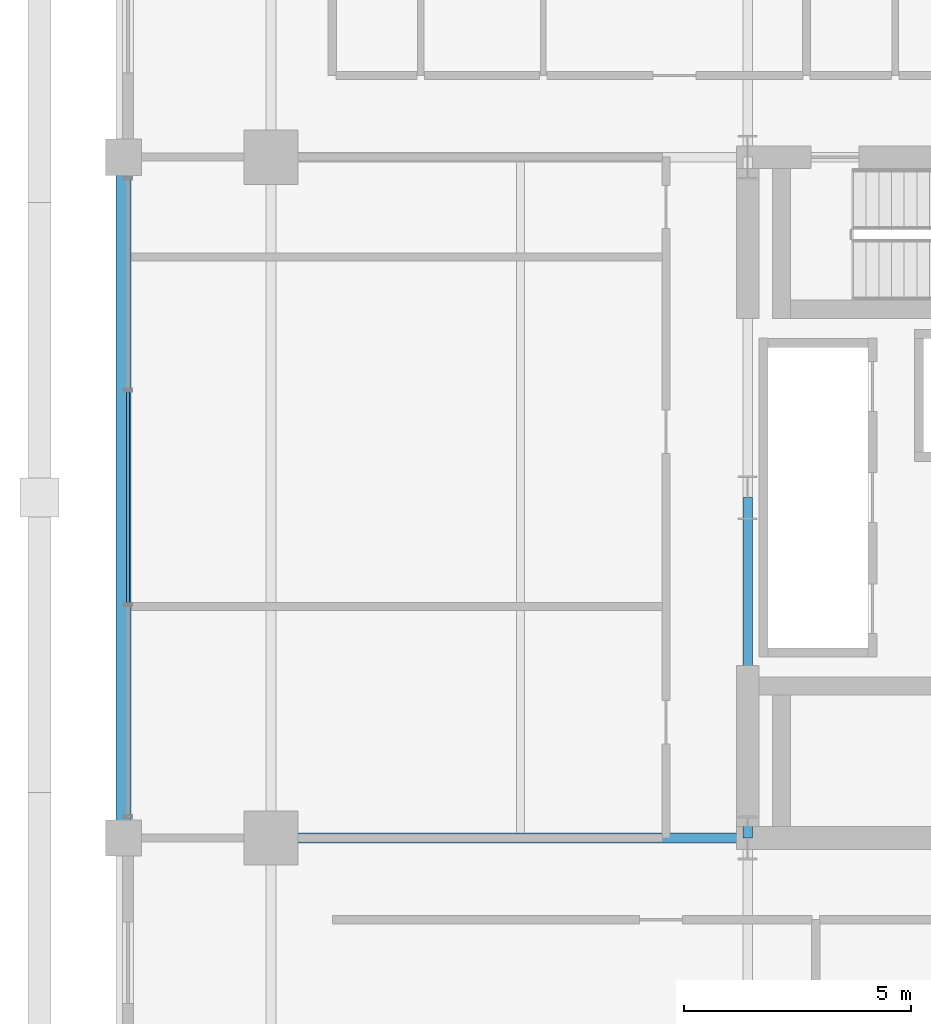
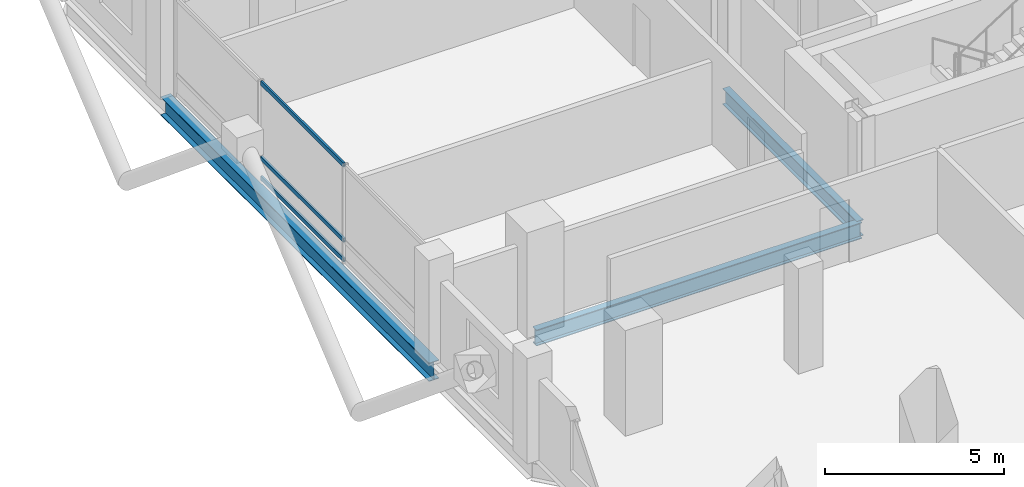
# One storey, part 5 of 22: 3 beams, 3 members, 1 element without a shape of its own.
"""IFC4 building model written with IfcOpenShell, lengths in metres."""

import ifcopenshell
import ifcopenshell.guid

model = None  # the IFC model being written
_history = None  # IfcOwnerHistory: only IFC2X3 demands one
_inside = {}  # id of a spatial element -> (the spatial element, [elements in it])
_under = {}  # id of a project, library or spatial element -> (it, [spatial elements below it])
_declared = {}  # id of a project -> (the project, [libraries it declares])
_typed = {}  # id of a type object -> (the type object, [elements of that type])
_made_of = {}  # id of a material, layer set ... -> (it, [elements and type objects made of it])


def new_model(schema):
    """Start an empty IFC model of exactly this schema.

    Asked for "IFC4X3", IfcOpenShell would pick the latest addendum, in which some entities
    have other attributes; the version numbers below select the first issue.
    IFC2X3 requires an IfcOwnerHistory on every rooted entity: one is made here for all.
    """
    global model, _history
    if schema == "IFC4X3":
        model = ifcopenshell.file(schema_version=(4, 3, 0, 0))
    else:
        model = ifcopenshell.file(schema=schema)
    _inside.clear()
    _under.clear()
    _declared.clear()
    _typed.clear()
    _made_of.clear()
    _history = None
    if model.schema == "IFC2X3":
        org = make("IfcOrganization", Name="unknown")
        user = make(
            "IfcPersonAndOrganization",
            ThePerson=make("IfcPerson", FamilyName="unknown"),
            TheOrganization=org,
        )
        app = make(
            "IfcApplication",
            ApplicationDeveloper=org,
            Version="unknown",
            ApplicationFullName="unknown",
            ApplicationIdentifier="unknown",
        )
        _history = make(
            "IfcOwnerHistory",
            OwningUser=user,
            OwningApplication=app,
            ChangeAction="ADDED",
            CreationDate=0,
        )
    return model


def make(cls, **values):
    """One entity of the class cls with the attributes given. An attribute that is None is left unset."""
    return model.create_entity(
        cls, **{name: value for name, value in values.items() if value is not None}
    )


def rooted(cls, **values):
    """An entity with a GlobalId (a new one), such as an element, a storey or a relation."""
    return make(cls, GlobalId=ifcopenshell.guid.new(), OwnerHistory=_history, **values)


def si_unit(unit_type, name, prefix=None):
    """IfcSIUnit, for example si_unit("LENGTHUNIT", "METRE", prefix="MILLI")."""
    return make("IfcSIUnit", UnitType=unit_type, Prefix=prefix, Name=name)


def assignment(units):
    """IfcUnitAssignment: the units of a project."""
    return None if units is None else make("IfcUnitAssignment", Units=units)


def point(xyz):
    """IfcCartesianPoint."""
    return None if xyz is None else make("IfcCartesianPoint", Coordinates=xyz)


def direction(xyz):
    """IfcDirection."""
    return None if xyz is None else make("IfcDirection", DirectionRatios=xyz)


def frame(location, z_axis=None, x_axis=None):
    """IfcAxis2Placement3D, a coordinate frame: its origin and axes. An axis left out is left unset."""
    return make(
        "IfcAxis2Placement3D",
        Location=point(location),
        Axis=direction(z_axis),
        RefDirection=direction(x_axis),
    )


def frame_2d(location, x_axis=None):
    """IfcAxis2Placement2D, a coordinate frame in the plane: its origin and x axis."""
    return make(
        "IfcAxis2Placement2D", Location=point(location), RefDirection=direction(x_axis)
    )


def origin():
    """The frame at (0, 0, 0) with its axes left unset."""
    return frame((0.0, 0.0, 0.0))


def origin_2d():
    """The frame at (0, 0) in the plane with its x axis left unset."""
    return frame_2d((0.0, 0.0))


def place(relative_to, where):
    """IfcLocalPlacement: puts the frame where relative to a parent placement (None: the world)."""
    return make(
        "IfcLocalPlacement", PlacementRelTo=relative_to, RelativePlacement=where
    )


def context(
    kind, dimensions, precision=None, world=None, true_north=None, identifier=None
):
    """IfcGeometricRepresentationContext, for example the 3D "Model" context."""
    return make(
        "IfcGeometricRepresentationContext",
        ContextIdentifier=identifier,
        ContextType=kind,
        CoordinateSpaceDimension=dimensions,
        Precision=precision,
        WorldCoordinateSystem=world,
        TrueNorth=true_north,
    )


def subcontext(parent, identifier, kind, view, scale=None):
    """IfcGeometricRepresentationSubContext, for example "Body" below "Model"."""
    return make(
        "IfcGeometricRepresentationSubContext",
        ContextIdentifier=identifier,
        ContextType=kind,
        ParentContext=parent,
        TargetScale=scale,
        TargetView=view,
    )


def project(units=None, contexts=None):
    """IfcProject with its units and contexts."""
    return rooted(
        "IfcProject",
        Name="project",
        RepresentationContexts=contexts,
        UnitsInContext=assignment(units),
    )


def spatial(cls, under=None, at=None, **own):
    """A site, building, storey or space (cls), placed at a placement, below another one or the project."""
    s = rooted(cls, ObjectPlacement=at, **own)
    if under is not None:
        _under.setdefault(under.id(), (under, []))[1].append(s)
    return s


def profile(cls, at=None, kind="AREA", **sizes):
    """A parametric profile (cls). Its sizes go by their IFC names, for example OverallWidth=200.0."""
    return make(cls, ProfileType=kind, Position=at, **sizes)


def hollow_rectangle(**sizes):
    """IfcRectangleHollowProfileDef."""
    return profile("IfcRectangleHollowProfileDef", **sizes)


def i_section(**sizes):
    """IfcIShapeProfileDef."""
    return profile("IfcIShapeProfileDef", **sizes)


def extrude(swept, where, along, depth):
    """IfcExtrudedAreaSolid: the profile swept, set in the frame where, extruded along a direction by depth."""
    return make(
        "IfcExtrudedAreaSolid",
        SweptArea=swept,
        Position=where,
        ExtrudedDirection=direction(along),
        Depth=depth,
    )


def shape(context_of_items, identifier, shape_type, items):
    """IfcShapeRepresentation: the items that make up one representation, for example the "Body"."""
    return make(
        "IfcShapeRepresentation",
        ContextOfItems=context_of_items,
        RepresentationIdentifier=identifier,
        RepresentationType=shape_type,
        Items=items,
    )


def material(Name=None, Category=None):
    """IfcMaterial."""
    return make("IfcMaterial", Name=Name, Category=Category)


def layer(
    of_material, thickness, ventilated=None, Name=None, Category=None, Priority=None
):
    """IfcMaterialLayer: one layer of a wall or slab, of a material (None: an air gap)."""
    return make(
        "IfcMaterialLayer",
        Material=of_material,
        LayerThickness=thickness,
        IsVentilated=ventilated,
        Name=Name,
        Category=Category,
        Priority=Priority,
    )


def layer_set(layers, Name=None):
    """IfcMaterialLayerSet."""
    return make("IfcMaterialLayerSet", MaterialLayers=layers, LayerSetName=Name)


def material_profile(
    of_material, cross_section, Name=None, Category=None, Priority=None
):
    """IfcMaterialProfile: a cross section and its material."""
    return make(
        "IfcMaterialProfile",
        Name=Name,
        Material=of_material,
        Profile=cross_section,
        Priority=Priority,
        Category=Category,
    )


def profile_set(profiles, Name=None, composite=None):
    """IfcMaterialProfileSet."""
    return make(
        "IfcMaterialProfileSet",
        Name=Name,
        MaterialProfiles=profiles,
        CompositeProfile=composite,
    )


def made_of(thing, what):
    """Note that an element or type object is made of a material, layer set ...; save() writes the relation."""
    if what is not None:
        _made_of.setdefault(what.id(), (what, []))[1].append(thing)
    return thing


def type_object(cls, material=None, **own):
    """A type object (cls), such as IfcWallType, which elements share."""
    return made_of(rooted(cls, **own), material)


def element(
    cls,
    number,
    at=None,
    inside=None,
    cuts=None,
    type_object=None,
    material=None,
    context=None,
    identifier="Body",
    shape_type=None,
    held_by="IfcProductDefinitionShape",
    body=None,
    shapes=None,
    **own,
):
    """One element of the class cls, such as IfcWall. Its Tag is "e" and its number.

    at: its placement. inside: the storey or other place that contains it. cuts: it is an
    opening in that element (IfcRelVoidsElement). A single representation is given by context,
    identifier, shape_type and body (its items); several are given by shapes. held_by: the class
    of the entity that holds the representations. save() writes the other relations.
    """
    e = rooted(cls, Tag="e%d" % number, ObjectPlacement=at, **own)
    if body is not None:
        shapes = [shape(context, identifier, shape_type, body)]
    if shapes is not None:
        e.Representation = make(held_by, Representations=shapes)
    if inside is not None:
        _inside.setdefault(inside.id(), (inside, []))[1].append(e)
    if cuts is not None:
        rooted(
            "IfcRelVoidsElement", RelatingBuildingElement=cuts, RelatedOpeningElement=e
        )
    if type_object is not None:
        _typed.setdefault(type_object.id(), (type_object, []))[1].append(e)
    return made_of(e, material)


def aggregate(whole, parts):
    """IfcRelAggregates: a whole, such as a stair, and the parts it consists of."""
    return rooted("IfcRelAggregates", RelatingObject=whole, RelatedObjects=parts)


def save(model, path):
    """Write the relations noted so far, then the file.

    IfcRelAggregates (storeys below a building ...), IfcRelContainedInSpatialStructure (elements
    in a storey), IfcRelDefinesByType, IfcRelAssociatesMaterial and IfcRelDeclares: one each for
    every whole, place, type object, material and project.
    """
    for whole, parts in _under.values():
        aggregate(whole, parts)
    for where, things in _inside.values():
        rooted(
            "IfcRelContainedInSpatialStructure",
            RelatedElements=things,
            RelatingStructure=where,
        )
    for kind, things in _typed.values():
        rooted("IfcRelDefinesByType", RelatedObjects=things, RelatingType=kind)
    for what, things in _made_of.values():
        rooted("IfcRelAssociatesMaterial", RelatedObjects=things, RelatingMaterial=what)
    for by, libraries in _declared.values():
        rooted("IfcRelDeclares", RelatingContext=by, RelatedDefinitions=libraries)
    model.write(path)


model = new_model("IFC4")

# Units and contexts
model_context = context("Model", 3, precision=1e-05, world=origin(), true_north=direction((0.0, 1.0)))
body_context = subcontext(model_context, "Body", "Model", "MODEL_VIEW")
ifc_project = project(units=[si_unit("LENGTHUNIT", "METRE"), si_unit("AREAUNIT", "SQUARE_METRE"), si_unit("VOLUMEUNIT", "CUBIC_METRE"), si_unit("PLANEANGLEUNIT", "RADIAN"), si_unit("MASSUNIT", "GRAM", prefix="KILO")], contexts=[model_context])

# Site, building, storey
site_placement = place(None, origin())
site = spatial("IfcSite", under=ifc_project, at=site_placement, CompositionType="ELEMENT")
building_placement = place(site_placement, origin())
building = spatial("IfcBuilding", under=site, at=building_placement, Name="Barlavira Tower and Art Museum", CompositionType="ELEMENT")
storey_placement = place(building_placement, frame((0.0, 0.0, 106.199951171875)))
storey = spatial("IfcBuildingStorey", under=building, at=storey_placement, Name="L26", CompositionType="ELEMENT", Elevation=106.199951171875)

# Curtain wall, members
ifc_material_1 = material(Name="Low-iron coastal laminated glass", Category="glass")
ifc_layer = layer(ifc_material_1, 0.18994140625, Name="Low-iron coastal laminated glass")
ifc_layer_set = layer_set([ifc_layer], Name="Low-iron coastal laminated glass")
curtain_wall_type = type_object("IfcCurtainWallType", Name="Pale-Metal Unitised Curtain Wall Zone 2", PredefinedType="NOTDEFINED", material=ifc_layer_set)
curtain_wall_placement = place(storey_placement, origin())
curtain_wall = element("IfcCurtainWall", 1, at=curtain_wall_placement, inside=storey, type_object=curtain_wall_type, Name="L26 Curtain Wall CW2-L26-W-B3", PredefinedType="NOTDEFINED")
ifc_material_2 = material(Name="Pale anodised aluminium", Category="aluminium")
ifc_material_profile_1 = material_profile(ifc_material_2, hollow_rectangle(XDim=0.06494140625, YDim=0.139892578125, WallThickness=0.00390625, at=origin_2d()), Name="ALU-TRAN 65x140x4")
ifc_profile_set_1 = profile_set([ifc_material_profile_1], Name="Pale anodised aluminium")
member_type = type_object("IfcMemberType", Name="Curtain Wall Pale-Metal Transom 65x140", PredefinedType="USERDEFINED", material=ifc_profile_set_1)
member_1_placement = place(storey_placement, frame((-20.14990234375, 2.31494140625, 0.070068359375), z_axis=(0.0, -1.0, 0.0), x_axis=(1.0, 0.0, 0.0)))
member_1 = element("IfcMember", 2, at=member_1_placement, type_object=member_type, Name="CW2-L26-W-B3 Transom 1.1", ObjectType="TRANSOM", PredefinedType="USERDEFINED", context=body_context, shape_type="SweptSolid", body=[
    extrude(hollow_rectangle(XDim=0.06494140625, YDim=0.139892578125, WallThickness=0.00390625, at=origin_2d()), origin(), (0.0, 0.0, 1.0), 4.6298828125),
])
member_2_placement = place(storey_placement, frame((-20.14990234375, 2.31494140625, 0.744140625), z_axis=(0.0, -1.0, 0.0), x_axis=(1.0, 0.0, 0.0)))
member_2 = element("IfcMember", 3, at=member_2_placement, type_object=member_type, Name="CW2-L26-W-B3 Transom 1.2", ObjectType="TRANSOM", PredefinedType="USERDEFINED", context=body_context, shape_type="SweptSolid", body=[
    extrude(hollow_rectangle(XDim=0.06494140625, YDim=0.139892578125, WallThickness=0.00390625, at=origin_2d()), origin(), (0.0, 0.0, 1.0), 4.6298828125),
])
member_3_placement = place(storey_placement, frame((-20.14990234375, 2.31494140625, 3.31005859375), z_axis=(0.0, -1.0, 0.0), x_axis=(1.0, 0.0, 0.0)))
member_3 = element("IfcMember", 4, at=member_3_placement, type_object=member_type, Name="CW2-L26-W-B3 Transom 1.3", ObjectType="TRANSOM", PredefinedType="USERDEFINED", context=body_context, shape_type="SweptSolid", body=[
    extrude(hollow_rectangle(XDim=0.06494140625, YDim=0.139892578125, WallThickness=0.00390625, at=origin_2d()), origin(), (0.0, 0.0, 1.0), 4.6298828125),
])
aggregate(curtain_wall, [member_1, member_2, member_3])

# Beams
ifc_material_3 = material(Name="Steel S355", Category="steel")
ifc_material_profile_2 = material_profile(ifc_material_3, i_section(OverallWidth=0.327880859375, OverallDepth=0.62890625, WebThickness=0.013916015625, FlangeThickness=0.021484375, at=origin_2d()), Name="W610x174.0")
ifc_profile_set_2 = profile_set([ifc_material_profile_2], Name="Steel S355")
beam_type_1 = type_object("IfcBeamType", Name="Perimeter Spandrel Edge Beam W610x174 Steel S355", PredefinedType="SPANDREL", material=ifc_profile_set_2)
beam_1_placement = place(storey_placement, frame((-20.25, -7.5, -0.534423828125), z_axis=(0.0, 1.0, 0.0), x_axis=(-1.0, 0.0, 0.0)))
element("IfcBeam", 5, at=beam_1_placement, inside=storey, type_object=beam_type_1, Name="L26 Spandrel 14", PredefinedType="SPANDREL", context=body_context, shape_type="SweptSolid", body=[
    extrude(i_section(OverallWidth=0.327880859375, OverallDepth=0.62890625, WebThickness=0.013916015625, FlangeThickness=0.021484375, at=origin_2d()), origin(), (0.0, 0.0, 1.0), 15.0),
])
ifc_material_profile_3 = material_profile(ifc_material_3, i_section(OverallWidth=0.214111328125, OverallDepth=0.549072265625, WebThickness=0.0146484375, FlangeThickness=0.023681640625, at=origin_2d()), Name="W530x138.0")
ifc_profile_set_3 = profile_set([ifc_material_profile_3], Name="Steel S355")
beam_type_2 = type_object("IfcBeamType", Name="Zone 1 Primary Floor Girder W530x138 Steel S355", PredefinedType="BEAM", material=ifc_profile_set_3)
beam_2_placement = place(storey_placement, frame((-6.5, -7.5, -0.494384765625), z_axis=(0.0, 1.0, 0.0), x_axis=(-1.0, 0.0, 0.0)))
element("IfcBeam", 6, at=beam_2_placement, inside=storey, type_object=beam_type_2, Name="L26 Girder C-W1", PredefinedType="BEAM", context=body_context, shape_type="SweptSolid", body=[
    extrude(i_section(OverallWidth=0.214111328125, OverallDepth=0.549072265625, WebThickness=0.0146484375, FlangeThickness=0.023681640625, at=origin_2d()), origin(), (0.0, 0.0, 1.0), 7.5),
])
beam_3_placement = place(storey_placement, frame((-17.0, -7.5, -0.494384765625), z_axis=(1.0, 0.0, 0.0), x_axis=(0.0, 1.0, 0.0)))
element("IfcBeam", 7, at=beam_3_placement, inside=storey, type_object=beam_type_2, Name="L26 Girder R-W1", PredefinedType="BEAM", context=body_context, shape_type="SweptSolid", body=[
    extrude(i_section(OverallWidth=0.214111328125, OverallDepth=0.549072265625, WebThickness=0.0146484375, FlangeThickness=0.023681640625, at=origin_2d()), origin(), (0.0, 0.0, 1.0), 10.5),
])

save(model, "model.ifc")
